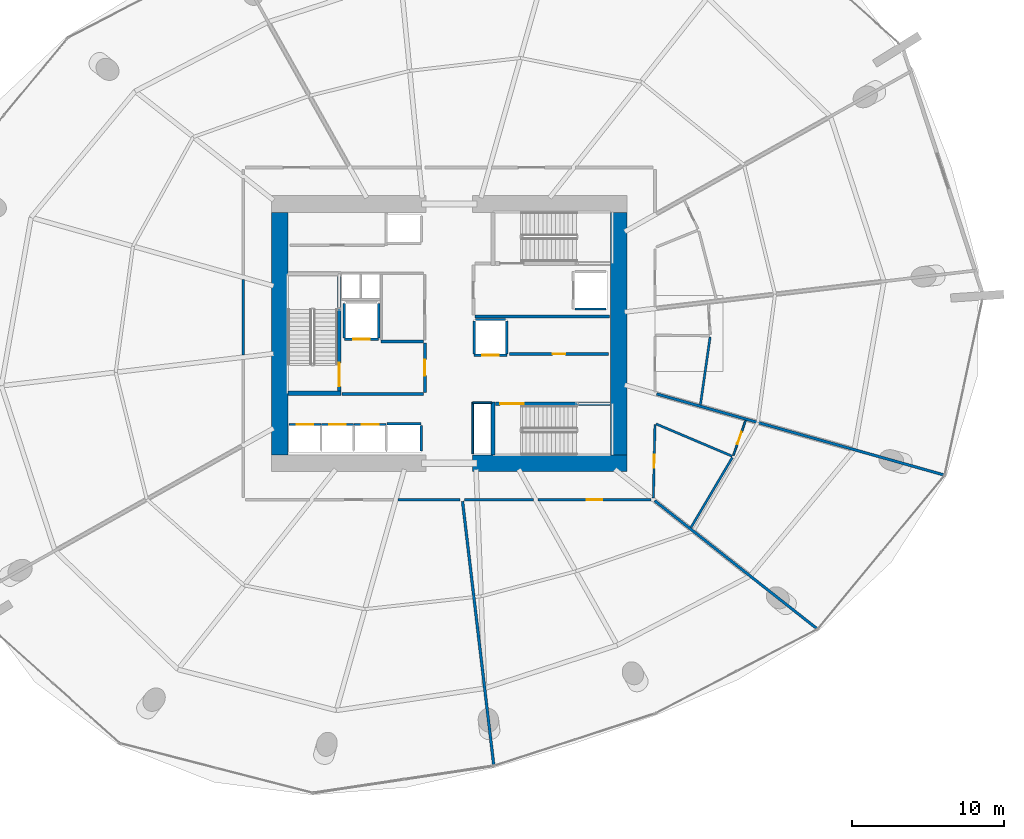
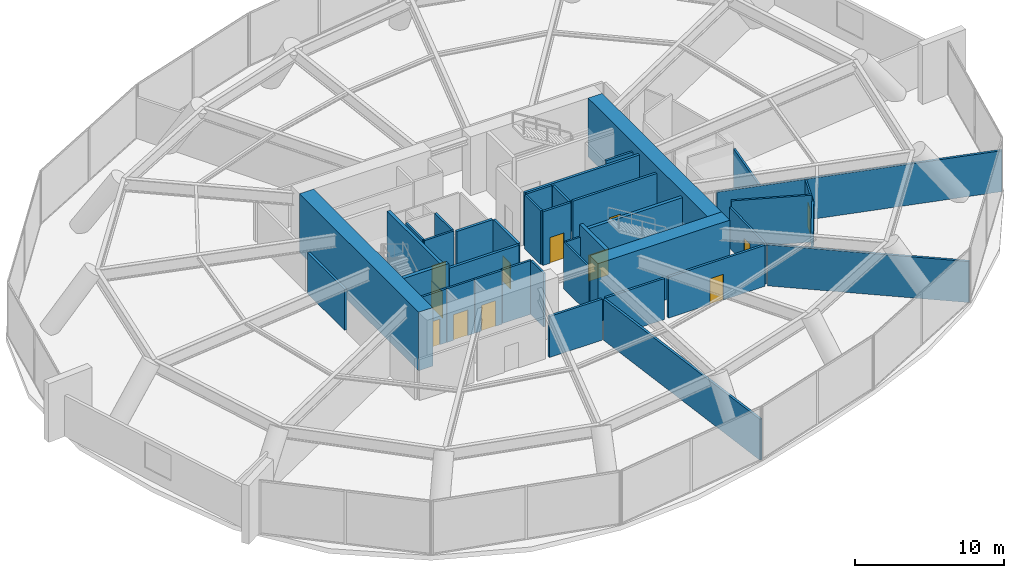
# One storey, part 17 of 21: 39 walls, 12 doors, 12 openings.
"""IFC4 building model written with IfcOpenShell, lengths in metres."""

from ifc_helpers import new_model, si_unit, direction, frame, frame_2d, origin, place, context, subcontext, project, spatial, rectangle, extrude, material, layer, layer_set, type_object, element, fill, save


model = new_model("IFC4")

# Units and contexts
model_context = context("Model", 3, precision=1e-05, world=origin(), true_north=direction((0.0, 1.0)))
body_context = subcontext(model_context, "Body", "Model", "MODEL_VIEW")
ifc_project = project(units=[si_unit("LENGTHUNIT", "METRE"), si_unit("AREAUNIT", "SQUARE_METRE"), si_unit("VOLUMEUNIT", "CUBIC_METRE"), si_unit("PLANEANGLEUNIT", "RADIAN"), si_unit("MASSUNIT", "GRAM", prefix="KILO")], contexts=[model_context])

# Site, building, storey
site_placement = place(None, origin())
site = spatial("IfcSite", under=ifc_project, at=site_placement, CompositionType="ELEMENT")
building_placement = place(site_placement, origin())
building = spatial("IfcBuilding", under=site, at=building_placement, Name="Kazma Halo Residences", CompositionType="ELEMENT")
storey_placement = place(building_placement, frame((0.0, 0.0, 21.60009765625)))
storey = spatial("IfcBuildingStorey", under=building, at=storey_placement, Name="L04", CompositionType="ELEMENT", Elevation=21.60009765625)

# Walls
ifc_material_1 = material(Name="Concrete C80/95", Category="concrete")
ifc_layer_1 = layer(ifc_material_1, 1.10009765625)
ifc_layer_set_1 = layer_set([ifc_layer_1], Name="Concrete C80/95")
wall_type_1 = type_object("IfcWallType", Name="WL-CORE-1100", PredefinedType="SHEAR", material=ifc_layer_set_1)
wall_1_placement = place(storey_placement, frame((49.949951171875, 33.449951171875, 0.0), z_axis=(0.0, 0.0, 1.0), x_axis=(1.0, 0.0, 0.0)))
element("IfcWall", 1, at=wall_1_placement, inside=storey, type_object=wall_type_1, Name="L04 central core shear wall SE", PredefinedType="SHEAR", context=body_context, shape_type="SweptSolid", body=[
    extrude(rectangle(XDim=10.199951171875, YDim=1.10009765625, at=frame_2d((5.10009765625, 0.0))), origin(), (0.0, 0.0, 1.0), 4.7998046875),
])
for number, where, z_axis, x_axis, name in (
    (2, (37.25, 34.0, 0.0), (0.0, 0.0, 1.0), (0.0, 1.0, 0.0), "L04 central core shear wall W"),
    (3, (59.60009765625, 34.0, 0.0), (0.0, 0.0, 1.0), (0.0, 1.0, 0.0), "L04 central core shear wall E"),
):
    element("IfcWall", number, at=place(storey_placement, frame(where, z_axis=z_axis, x_axis=x_axis)), inside=storey, type_object=wall_type_1, Name=name, PredefinedType="SHEAR", context=body_context, shape_type="SweptSolid", body=[
        extrude(rectangle(XDim=16.0, YDim=1.10009765625, at=frame_2d((8.0, 0.0))), origin(), (0.0, 0.0, 1.0), 4.7998046875),
    ])
ifc_material_2 = material(Name="Concrete C60/75", Category="concrete")
ifc_layer_2 = layer(ifc_material_2, 0.280029296875)
ifc_layer_set_2 = layer_set([ifc_layer_2], Name="Concrete C60/75")
wall_type_2 = type_object("IfcWallType", Name="WL-CORE-ST-280", PredefinedType="SHEAR", material=ifc_layer_set_2)
for number, where, z_axis, x_axis, name in (
    (4, (37.800048828125, 38.06005859375, 0.0), (0.0, 0.0, 1.0), (1.0, 0.0, 0.0), "L04 stairwell bearing wall ST01-S"),
    (5, (51.31005859375, 34.0, 0.0), (0.0, 0.0, 1.0), (0.0, 1.0, 0.0), "L04 stairwell bearing wall ST03-W"),
):
    element("IfcWall", number, at=place(storey_placement, frame(where, z_axis=z_axis, x_axis=x_axis)), inside=storey, type_object=wall_type_2, Name=name, PredefinedType="SHEAR", context=body_context, shape_type="SweptSolid", body=[
        extrude(rectangle(XDim=3.5, YDim=0.280029296875, at=frame_2d((1.75, 0.0))), origin(), (0.0, 0.0, 1.0), 4.7998046875),
    ])
ifc_material_3 = material(Name="Acoustic Twin-Stud Gypsum")
ifc_layer_3 = layer(ifc_material_3, 0.179931640625)
ifc_layer_set_3 = layer_set([ifc_layer_3], Name="Acoustic Twin-Stud Gypsum")
wall_type_3 = type_object("IfcWallType", Name="WL-DEM-180", PredefinedType="PARTITIONING", material=ifc_layer_set_3)
wall_2_placement = place(storey_placement, frame((34.85009765625, 45.568603515625, 0.0), z_axis=(0.0, 0.0, 1.0), x_axis=(0.0, -1.0, 0.0)))
element("IfcWall", 6, at=wall_2_placement, inside=storey, type_object=wall_type_3, Name="L04 Executive Co-Working Office corridor wall", PredefinedType="PARTITIONING", context=body_context, shape_type="SweptSolid", body=[
    extrude(rectangle(XDim=4.985107421875, YDim=0.179931640625, at=frame_2d((2.49267578125, 0.0))), origin(), (0.0, 0.0, 1.0), 3.35693359375),
])
wall_3_placement = place(storey_placement, frame((45.0517578125, 31.050048828125, 0.0), z_axis=(0.0, 0.0, 1.0), x_axis=(1.0, 0.0, 0.0)))
element("IfcWall", 7, at=wall_3_placement, inside=storey, type_object=wall_type_3, Name="L04 Executive Meeting Office corridor wall", PredefinedType="PARTITIONING", context=body_context, shape_type="SweptSolid", body=[
    extrude(rectangle(XDim=4.104248046875, YDim=0.179931640625, at=frame_2d((2.05224609375, 0.0))), origin(), (0.0, 0.0, 1.0), 3.35693359375),
])
wall_4_placement = place(storey_placement, frame((49.308837890625, 30.94091796875, 0.0), z_axis=(0.0, 0.0, 1.0), x_axis=(0.117547531601, -0.993067257448, 0.0)))
element("IfcWall", 8, at=wall_4_placement, inside=storey, type_object=wall_type_3, Name="L04 radial partition wall 11", PredefinedType="PARTITIONING", context=body_context, shape_type="SweptSolid", body=[
    extrude(rectangle(XDim=17.548095703125, YDim=0.179931640625, at=frame_2d((8.77392578125, 0.0))), origin(), (0.0, 0.0, 1.0), 3.35693359375),
])
wall_5_placement = place(storey_placement, frame((49.43603515625, 31.050048828125, 0.0), z_axis=(0.0, 0.0, 1.0), x_axis=(1.0, 0.0, 0.0)))
element("IfcWall", 9, at=wall_5_placement, inside=storey, type_object=wall_type_3, Name="L04 Estate Archives Store Room corridor wall", PredefinedType="PARTITIONING", context=body_context, shape_type="SweptSolid", body=[
    extrude(rectangle(XDim=4.55615234375, YDim=0.179931640625, at=frame_2d((2.278076171875, 0.0))), origin(), (0.0, 0.0, 1.0), 3.35693359375),
])

# Wall, opening, door
wall_6_placement = place(storey_placement, frame((54.272216796875, 31.050048828125, 0.0), z_axis=(0.0, 0.0, 1.0), x_axis=(1.0, 0.0, 0.0)))
wall_6 = element("IfcWall", 10, at=wall_6_placement, inside=storey, type_object=wall_type_3, Name="L04 Estate Archives Store Room corridor wall", PredefinedType="PARTITIONING", context=body_context, shape_type="SweptSolid", body=[
    extrude(rectangle(XDim=7.477783203125, YDim=0.179931640625, at=frame_2d((3.73876953125, 0.0))), origin(), (0.0, 0.0, 1.0), 3.35693359375),
])
opening_1_placement = place(wall_6_placement, frame((3.2138671875, 0.0, 0.0)))
opening_1 = element("IfcOpeningElement", 11, at=opening_1_placement, cuts=wall_6, Name="Opening DF-1050", PredefinedType="OPENING", context=body_context, shape_type="SweptSolid", body=[
    extrude(rectangle(XDim=1.050048828125, YDim=2.10009765625, at=frame_2d((0.52490234375, 1.050048828125))), frame((0.0, 0.099853515625, 0.0), z_axis=(0.0, -1.0, 0.0), x_axis=(1.0, 0.0, 0.0)), (0.0, 0.0, 1.0), 0.199951171875),
])
ifc_material_4 = material(Name="Fire-Rated Steel Leaf", Category="steel")
door_type_1 = type_object("IfcDoorType", Name="DR-FD90-1050", OperationType="NOTDEFINED", PredefinedType="DOOR", material=ifc_material_4)
door_1_placement = place(opening_1_placement, origin())
door_1 = element("IfcDoor", 12, at=door_1_placement, inside=storey, type_object=door_type_1, Name="L04 Estate Archives Store Room entrance door", OperationType="SINGLE_SWING_LEFT", OverallHeight=2.10009765625, OverallWidth=1.050048828125, PredefinedType="DOOR", context=body_context, shape_type="SweptSolid", body=[
    extrude(rectangle(XDim=1.050048828125, YDim=2.10009765625, at=frame_2d((0.52490234375, 1.050048828125))), frame((0.0, 0.02490234375, 0.0), z_axis=(0.0, -1.0, 0.0), x_axis=(1.0, 0.0, 0.0)), (0.0, 0.0, 1.0), 0.050048828125),
])
fill(opening_1, door_1)

# Walls
wall_7_placement = place(storey_placement, frame((61.976318359375, 30.98193359375, 0.0), z_axis=(0.0, 0.0, 1.0), x_axis=(0.785315783489, -0.619095404766, 0.0)))
element("IfcWall", 13, at=wall_7_placement, inside=storey, type_object=wall_type_3, Name="L04 radial partition wall 13", PredefinedType="PARTITIONING", context=body_context, shape_type="SweptSolid", body=[
    extrude(rectangle(XDim=13.6611328125, YDim=0.179931640625, at=frame_2d((6.83056640625, 0.0))), origin(), (0.0, 0.0, 1.0), 3.35693359375),
])
wall_8_placement = place(storey_placement, frame((62.10595703125, 38.021728515625, 0.0), z_axis=(0.0, 0.0, 1.0), x_axis=(0.962455233657, -0.271440459782, 0.0)))
element("IfcWall", 14, at=wall_8_placement, inside=storey, type_object=wall_type_3, Name="L04 radial partition wall 14", PredefinedType="PARTITIONING", context=body_context, shape_type="SweptSolid", body=[
    extrude(rectangle(XDim=19.71630859375, YDim=0.179931640625, at=frame_2d((9.858154296875, 0.0))), origin(), (0.0, 0.0, 1.0), 3.35693359375),
])

# Wall, opening, door
ifc_material_5 = material(Name="Fire-Rated Blockwork Masonry", Category="masonry")
ifc_layer_4 = layer(ifc_material_5, 0.199951171875)
ifc_layer_set_4 = layer_set([ifc_layer_4], Name="Fire-Rated Blockwork Masonry")
wall_type_4 = type_object("IfcWallType", Name="WL-FLB-200", PredefinedType="PARTITIONING", material=ifc_layer_set_4)
wall_9_placement = place(storey_placement, frame((37.864990234375, 36.0048828125, 0.0), z_axis=(0.0, 0.0, 1.0), x_axis=(1.0, 0.0, 0.0)))
wall_9 = element("IfcWall", 15, at=wall_9_placement, inside=storey, type_object=wall_type_4, Name="L04 lift shaft PL-01 front wall", PredefinedType="PARTITIONING", context=body_context, shape_type="SweptSolid", body=[
    extrude(rectangle(XDim=2.110107421875, YDim=0.159912109375, at=frame_2d((1.05517578125, 0.0))), origin(), (0.0, 0.0, 1.0), 4.39990234375),
])
opening_2_placement = place(wall_9_placement, frame((0.5048828125, 0.0, 0.0)))
opening_2 = element("IfcOpeningElement", 16, at=opening_2_placement, cuts=wall_9, Name="Opening LD-PL-01", PredefinedType="OPENING", context=body_context, shape_type="SweptSolid", body=[
    extrude(rectangle(XDim=1.10009765625, YDim=2.10009765625, at=frame_2d((0.550048828125, 1.050048828125))), frame((0.0, 0.08984375, 0.0), z_axis=(0.0, -1.0, 0.0), x_axis=(1.0, 0.0, 0.0)), (0.0, 0.0, 1.0), 0.179931640625),
])
ifc_material_6 = material(Name="Stainless Steel Fire-Rated", Category="steel")
door_type_2 = type_object("IfcDoorType", Name="DR-LIFT-SLD-1100", OperationType="DOUBLE_DOOR_SLIDING", PredefinedType="DOOR", material=ifc_material_6)
door_2_placement = place(opening_2_placement, origin())
door_2 = element("IfcDoor", 17, at=door_2_placement, inside=storey, type_object=door_type_2, Name="L04 lift PL-01 sliding landing door", OperationType="DOUBLE_DOOR_SLIDING", OverallHeight=2.10009765625, OverallWidth=1.10009765625, PredefinedType="DOOR", context=body_context, shape_type="SweptSolid", body=[
    extrude(rectangle(XDim=1.10009765625, YDim=2.10009765625, at=frame_2d((0.550048828125, 1.050048828125))), frame((0.0, 0.02490234375, 0.0), z_axis=(0.0, -1.0, 0.0), x_axis=(1.0, 0.0, 0.0)), (0.0, 0.0, 1.0), 0.050048828125),
])
fill(opening_2, door_2)

wall_10_placement = place(storey_placement, frame((40.014892578125, 36.0048828125, 0.0), z_axis=(0.0, 0.0, 1.0), x_axis=(1.0, 0.0, 0.0)))
wall_10 = element("IfcWall", 18, at=wall_10_placement, inside=storey, type_object=wall_type_4, Name="L04 lift shaft PL-02 front wall", PredefinedType="PARTITIONING", context=body_context, shape_type="SweptSolid", body=[
    extrude(rectangle(XDim=2.110107421875, YDim=0.159912109375, at=frame_2d((1.05517578125, 0.0))), origin(), (0.0, 0.0, 1.0), 4.39990234375),
])
opening_3_placement = place(wall_10_placement, frame((0.5048828125, 0.0, 0.0)))
opening_3 = element("IfcOpeningElement", 19, at=opening_3_placement, cuts=wall_10, Name="Opening LD-PL-02", PredefinedType="OPENING", context=body_context, shape_type="SweptSolid", body=[
    extrude(rectangle(XDim=1.10009765625, YDim=2.10009765625, at=frame_2d((0.550048828125, 1.050048828125))), frame((0.0, 0.08984375, 0.0), z_axis=(0.0, -1.0, 0.0), x_axis=(1.0, 0.0, 0.0)), (0.0, 0.0, 1.0), 0.179931640625),
])
door_3_placement = place(opening_3_placement, origin())
door_3 = element("IfcDoor", 20, at=door_3_placement, inside=storey, type_object=door_type_2, Name="L04 lift PL-02 sliding landing door", OperationType="DOUBLE_DOOR_SLIDING", OverallHeight=2.10009765625, OverallWidth=1.10009765625, PredefinedType="DOOR", context=body_context, shape_type="SweptSolid", body=[
    extrude(rectangle(XDim=1.10009765625, YDim=2.10009765625, at=frame_2d((0.550048828125, 1.050048828125))), frame((0.0, 0.02490234375, 0.0), z_axis=(0.0, -1.0, 0.0), x_axis=(1.0, 0.0, 0.0)), (0.0, 0.0, 1.0), 0.050048828125),
])
fill(opening_3, door_3)

wall_11_placement = place(storey_placement, frame((42.1650390625, 36.0048828125, 0.0), z_axis=(0.0, 0.0, 1.0), x_axis=(1.0, 0.0, 0.0)))
wall_11 = element("IfcWall", 21, at=wall_11_placement, inside=storey, type_object=wall_type_4, Name="L04 lift shaft PL-03 front wall", PredefinedType="PARTITIONING", context=body_context, shape_type="SweptSolid", body=[
    extrude(rectangle(XDim=2.10986328125, YDim=0.159912109375, at=frame_2d((1.054931640625, 0.0))), origin(), (0.0, 0.0, 1.0), 4.39990234375),
])
opening_4_placement = place(wall_11_placement, frame((0.5048828125, 0.0, 0.0)))
opening_4 = element("IfcOpeningElement", 22, at=opening_4_placement, cuts=wall_11, Name="Opening LD-PL-03", PredefinedType="OPENING", context=body_context, shape_type="SweptSolid", body=[
    extrude(rectangle(XDim=1.10009765625, YDim=2.10009765625, at=frame_2d((0.550048828125, 1.050048828125))), frame((0.0, 0.08984375, 0.0), z_axis=(0.0, -1.0, 0.0), x_axis=(1.0, 0.0, 0.0)), (0.0, 0.0, 1.0), 0.179931640625),
])
door_4_placement = place(opening_4_placement, origin())
door_4 = element("IfcDoor", 23, at=door_4_placement, inside=storey, type_object=door_type_2, Name="L04 lift PL-03 sliding landing door", OperationType="DOUBLE_DOOR_SLIDING", OverallHeight=2.10009765625, OverallWidth=1.10009765625, PredefinedType="DOOR", context=body_context, shape_type="SweptSolid", body=[
    extrude(rectangle(XDim=1.10009765625, YDim=2.10009765625, at=frame_2d((0.550048828125, 1.050048828125))), frame((0.0, 0.02490234375, 0.0), z_axis=(0.0, -1.0, 0.0), x_axis=(1.0, 0.0, 0.0)), (0.0, 0.0, 1.0), 0.050048828125),
])
fill(opening_4, door_4)

# Walls
wall_12_placement = place(storey_placement, frame((44.320068359375, 36.054931640625, 0.0), z_axis=(0.0, 0.0, 1.0), x_axis=(1.0, 0.0, 0.0)))
element("IfcWall", 24, at=wall_12_placement, inside=storey, type_object=wall_type_4, Name="L04 lift shaft PX-02 front wall", PredefinedType="PARTITIONING", context=body_context, shape_type="SweptSolid", body=[
    extrude(rectangle(XDim=2.260009765625, YDim=0.159912109375, at=frame_2d((1.1298828125, 0.0))), origin(), (0.0, 0.0, 1.0), 4.39990234375),
])
wall_13_placement = place(storey_placement, frame((46.580078125, 34.2451171875, 0.0), z_axis=(0.0, 0.0, 1.0), x_axis=(0.0, 1.0, 0.0)))
element("IfcWall", 25, at=wall_13_placement, inside=storey, type_object=wall_type_4, Name="L04 lift shaft PX-02 side wall E", PredefinedType="PARTITIONING", context=body_context, shape_type="SweptSolid", body=[
    extrude(rectangle(XDim=1.7099609375, YDim=0.159912109375, at=frame_2d((0.85498046875, 0.0))), origin(), (0.0, 0.0, 1.0), 4.39990234375),
])

# Wall, opening, door
wall_14_placement = place(storey_placement, frame((43.780029296875, 41.6201171875, 0.0), z_axis=(0.0, 0.0, 1.0), x_axis=(-1.0, 0.0, 0.0)))
wall_14 = element("IfcWall", 26, at=wall_14_placement, inside=storey, type_object=wall_type_4, Name="L04 lift shaft FL-01 front wall", PredefinedType="PARTITIONING", context=body_context, shape_type="SweptSolid", body=[
    extrude(rectangle(XDim=2.260009765625, YDim=0.159912109375, at=frame_2d((1.1298828125, 0.0))), origin(), (0.0, 0.0, 1.0), 4.39990234375),
])
opening_5_placement = place(wall_14_placement, frame((0.580078125, 0.0, 0.0)))
opening_5 = element("IfcOpeningElement", 27, at=opening_5_placement, cuts=wall_14, Name="Opening LD-FL-01", PredefinedType="OPENING", context=body_context, shape_type="SweptSolid", body=[
    extrude(rectangle(XDim=1.10009765625, YDim=2.10009765625, at=frame_2d((0.550048828125, 1.050048828125))), frame((0.0, 0.08984375, 0.0), z_axis=(0.0, -1.0, 0.0), x_axis=(1.0, 0.0, 0.0)), (0.0, 0.0, 1.0), 0.179931640625),
])
door_5_placement = place(opening_5_placement, origin())
door_5 = element("IfcDoor", 28, at=door_5_placement, inside=storey, type_object=door_type_2, Name="L04 lift FL-01 sliding landing door", OperationType="DOUBLE_DOOR_SLIDING", OverallHeight=2.10009765625, OverallWidth=1.10009765625, PredefinedType="DOOR", context=body_context, shape_type="SweptSolid", body=[
    extrude(rectangle(XDim=1.10009765625, YDim=2.10009765625, at=frame_2d((0.550048828125, 1.050048828125))), frame((0.0, 0.02490234375, 0.0), z_axis=(0.0, -1.0, 0.0), x_axis=(1.0, 0.0, 0.0)), (0.0, 0.0, 1.0), 0.050048828125),
])
fill(opening_5, door_5)

# Walls
for number, where, z_axis, x_axis, name in (
    (29, (43.780029296875, 41.719970703125, 0.0), (0.0, 0.0, 1.0), (0.0, 1.0, 0.0), "L04 lift shaft FL-01 side wall E"),
    (30, (41.52001953125, 41.719970703125, 0.0), (0.0, 0.0, 1.0), (0.0, 1.0, 0.0), "L04 lift shaft FL-01 side wall W"),
):
    element("IfcWall", number, at=place(storey_placement, frame(where, z_axis=z_axis, x_axis=x_axis)), inside=storey, type_object=wall_type_4, Name=name, PredefinedType="PARTITIONING", context=body_context, shape_type="SweptSolid", body=[
        extrude(rectangle(XDim=2.260009765625, YDim=0.159912109375, at=frame_2d((1.1298828125, 0.0))), origin(), (0.0, 0.0, 1.0), 4.39990234375),
    ])
wall_15_placement = place(storey_placement, frame((56.719970703125, 43.6201171875, 0.0), z_axis=(0.0, 0.0, 1.0), x_axis=(1.0, 0.0, 0.0)))
element("IfcWall", 31, at=wall_15_placement, inside=storey, type_object=wall_type_4, Name="L04 lift shaft FL-02 side wall S", PredefinedType="PARTITIONING", context=body_context, shape_type="SweptSolid", body=[
    extrude(rectangle(XDim=2.06005859375, YDim=0.159912109375, at=frame_2d((1.030029296875, 0.0))), origin(), (0.0, 0.0, 1.0), 4.39990234375),
])

# Wall, opening, door
wall_16_placement = place(storey_placement, frame((52.22998046875, 40.570068359375, 0.0), z_axis=(0.0, 0.0, 1.0), x_axis=(-1.0, 0.0, 0.0)))
wall_16 = element("IfcWall", 32, at=wall_16_placement, inside=storey, type_object=wall_type_4, Name="L04 lift shaft SV-01 front wall", PredefinedType="PARTITIONING", context=body_context, shape_type="SweptSolid", body=[
    extrude(rectangle(XDim=2.159912109375, YDim=0.159912109375, at=frame_2d((1.080078125, 0.0))), origin(), (0.0, 0.0, 1.0), 4.39990234375),
])
opening_6_placement = place(wall_16_placement, frame((0.530029296875, 0.0, 0.0)))
opening_6 = element("IfcOpeningElement", 33, at=opening_6_placement, cuts=wall_16, Name="Opening LD-SV-01", PredefinedType="OPENING", context=body_context, shape_type="SweptSolid", body=[
    extrude(rectangle(XDim=1.10009765625, YDim=2.10009765625, at=frame_2d((0.550048828125, 1.050048828125))), frame((0.0, 0.08984375, 0.0), z_axis=(0.0, -1.0, 0.0), x_axis=(1.0, 0.0, 0.0)), (0.0, 0.0, 1.0), 0.179931640625),
])
door_6_placement = place(opening_6_placement, origin())
door_6 = element("IfcDoor", 34, at=door_6_placement, inside=storey, type_object=door_type_2, Name="L04 lift SV-01 sliding landing door", OperationType="DOUBLE_DOOR_SLIDING", OverallHeight=2.10009765625, OverallWidth=1.10009765625, PredefinedType="DOOR", context=body_context, shape_type="SweptSolid", body=[
    extrude(rectangle(XDim=1.10009765625, YDim=2.10009765625, at=frame_2d((0.550048828125, 1.050048828125))), frame((0.0, 0.02490234375, 0.0), z_axis=(0.0, -1.0, 0.0), x_axis=(1.0, 0.0, 0.0)), (0.0, 0.0, 1.0), 0.050048828125),
])
fill(opening_6, door_6)

# Walls
for number, where, z_axis, x_axis, name in (
    (35, (52.22998046875, 40.669921875, 0.0), (0.0, 0.0, 1.0), (0.0, 1.0, 0.0), "L04 lift shaft SV-01 side wall E"),
    (36, (50.070068359375, 40.669921875, 0.0), (0.0, 0.0, 1.0), (0.0, 1.0, 0.0), "L04 lift shaft SV-01 side wall W"),
):
    element("IfcWall", number, at=place(storey_placement, frame(where, z_axis=z_axis, x_axis=x_axis)), inside=storey, type_object=wall_type_4, Name=name, PredefinedType="PARTITIONING", context=body_context, shape_type="SweptSolid", body=[
        extrude(rectangle(XDim=2.16015625, YDim=0.159912109375, at=frame_2d((1.080078125, 0.0))), origin(), (0.0, 0.0, 1.0), 4.39990234375),
    ])
wall_17_placement = place(storey_placement, frame((50.169921875, 42.929931640625, 0.0), z_axis=(0.0, 0.0, 1.0), x_axis=(1.0, 0.0, 0.0)))
element("IfcWall", 37, at=wall_17_placement, inside=storey, type_object=wall_type_4, Name="L04 lift shaft SV-01 side wall N", PredefinedType="PARTITIONING", context=body_context, shape_type="SweptSolid", body=[
    extrude(rectangle(XDim=1.9599609375, YDim=0.159912109375, at=frame_2d((0.97998046875, 0.0))), origin(), (0.0, 0.0, 1.0), 4.39990234375),
])

# Wall, opening, door
wall_18_placement = place(storey_placement, frame((52.419921875, 40.64990234375, 0.0), z_axis=(0.0, 0.0, 1.0), x_axis=(1.0, 0.0, 0.0)))
wall_18 = element("IfcWall", 38, at=wall_18_placement, inside=storey, type_object=wall_type_4, Name="L04 core east reserve wall", PredefinedType="PARTITIONING", context=body_context, shape_type="SweptSolid", body=[
    extrude(rectangle(XDim=6.5, YDim=0.179931640625, at=frame_2d((3.25, 0.0))), origin(), (0.0, 0.0, 1.0), 4.39990234375),
])
opening_7_placement = place(wall_18_placement, frame((2.824951171875, 0.0, 0.0)))
opening_7 = element("IfcOpeningElement", 39, at=opening_7_placement, cuts=wall_18, Name="Opening DS-850", PredefinedType="OPENING", context=body_context, shape_type="SweptSolid", body=[
    extrude(rectangle(XDim=0.85009765625, YDim=2.06005859375, at=frame_2d((0.425048828125, 1.030029296875))), frame((0.0, 0.099853515625, 0.0), z_axis=(0.0, -1.0, 0.0), x_axis=(1.0, 0.0, 0.0)), (0.0, 0.0, 1.0), 0.199951171875),
])
ifc_material_7 = material(Name="Painted Steel Access Leaf", Category="steel")
door_type_3 = type_object("IfcDoorType", Name="DR-SVC-850", OperationType="NOTDEFINED", PredefinedType="DOOR", material=ifc_material_7)
door_7_placement = place(opening_7_placement, origin())
door_7 = element("IfcDoor", 40, at=door_7_placement, inside=storey, type_object=door_type_3, Name="L04 core east reserve door", OperationType="SINGLE_SWING_LEFT", OverallHeight=2.06005859375, OverallWidth=0.85009765625, PredefinedType="DOOR", context=body_context, shape_type="SweptSolid", body=[
    extrude(rectangle(XDim=0.85009765625, YDim=2.06005859375, at=frame_2d((0.425048828125, 1.030029296875))), frame((0.0, 0.02490234375, 0.0), z_axis=(0.0, -1.0, 0.0), x_axis=(1.0, 0.0, 0.0)), (0.0, 0.0, 1.0), 0.050048828125),
])
fill(opening_7, door_7)

# Walls
wall_19_placement = place(storey_placement, frame((41.35009765625, 38.02001953125, 0.0), z_axis=(0.0, 0.0, 1.0), x_axis=(1.0, 0.0, 0.0)))
element("IfcWall", 41, at=wall_19_placement, inside=storey, type_object=wall_type_4, Name="L04 west firefighting lobby south smoke wall", PredefinedType="PARTITIONING", context=body_context, shape_type="SweptSolid", body=[
    extrude(rectangle(XDim=5.369873046875, YDim=0.199951171875, at=frame_2d((2.68505859375, 0.0))), origin(), (0.0, 0.0, 1.0), 4.39990234375),
])
wall_20_placement = place(storey_placement, frame((43.919921875, 41.47998046875, 0.0), z_axis=(0.0, 0.0, 1.0), x_axis=(1.0, 0.0, 0.0)))
element("IfcWall", 42, at=wall_20_placement, inside=storey, type_object=wall_type_4, Name="L04 west firefighting lobby north smoke wall", PredefinedType="PARTITIONING", context=body_context, shape_type="SweptSolid", body=[
    extrude(rectangle(XDim=2.800048828125, YDim=0.199951171875, at=frame_2d((1.39990234375, 0.0))), origin(), (0.0, 0.0, 1.0), 4.39990234375),
])

# Wall, opening, door
wall_21_placement = place(storey_placement, frame((46.820068359375, 38.1201171875, 0.0), z_axis=(0.0, 0.0, 1.0), x_axis=(0.0, 1.0, 0.0)))
wall_21 = element("IfcWall", 43, at=wall_21_placement, inside=storey, type_object=wall_type_4, Name="L04 west firefighting lobby smoke wall", PredefinedType="PARTITIONING", context=body_context, shape_type="SweptSolid", body=[
    extrude(rectangle(XDim=3.259765625, YDim=0.199951171875, at=frame_2d((1.6298828125, 0.0))), origin(), (0.0, 0.0, 1.0), 4.39990234375),
])
opening_8_placement = place(wall_21_placement, frame((1.10498046875, 0.0, 0.0)))
opening_8 = element("IfcOpeningElement", 44, at=opening_8_placement, cuts=wall_21, Name="Opening D-FLW", PredefinedType="OPENING", context=body_context, shape_type="SweptSolid", body=[
    extrude(rectangle(XDim=1.050048828125, YDim=2.10009765625, at=frame_2d((0.52490234375, 1.050048828125))), frame((0.0, 0.10986328125, 0.0), z_axis=(0.0, -1.0, 0.0), x_axis=(1.0, 0.0, 0.0)), (0.0, 0.0, 1.0), 0.219970703125),
])
door_8_placement = place(opening_8_placement, origin())
door_8 = element("IfcDoor", 45, at=door_8_placement, inside=storey, type_object=door_type_1, Name="L04 west firefighting lobby smoke door", OperationType="SINGLE_SWING_LEFT", OverallHeight=2.10009765625, OverallWidth=1.050048828125, PredefinedType="DOOR", context=body_context, shape_type="SweptSolid", body=[
    extrude(rectangle(XDim=1.050048828125, YDim=2.10009765625, at=frame_2d((0.52490234375, 1.050048828125))), frame((0.0, 0.02490234375, 0.0), z_axis=(0.0, -1.0, 0.0), x_axis=(1.0, 0.0, 0.0)), (0.0, 0.0, 1.0), 0.050048828125),
])
fill(opening_8, door_8)

# Walls
wall_22_placement = place(storey_placement, frame((50.1201171875, 43.1201171875, 0.0), z_axis=(0.0, 0.0, 1.0), x_axis=(1.0, 0.0, 0.0)))
element("IfcWall", 46, at=wall_22_placement, inside=storey, type_object=wall_type_4, Name="L04 east firefighting lobby south smoke wall", PredefinedType="PARTITIONING", context=body_context, shape_type="SweptSolid", body=[
    extrude(rectangle(XDim=8.8798828125, YDim=0.199951171875, at=frame_2d((4.43994140625, 0.0))), origin(), (0.0, 0.0, 1.0), 4.39990234375),
])
ifc_material_8 = material(Name="Gypsum Plasterboard Partition")
ifc_layer_5 = layer(ifc_material_8, 0.125)
ifc_layer_set_5 = layer_set([ifc_layer_5], Name="Gypsum Plasterboard Partition")
wall_type_5 = type_object("IfcWallType", Name="WL-PART-125", PredefinedType="PARTITIONING", material=ifc_layer_set_5)
wall_23_placement = place(storey_placement, frame((49.97998046875, 34.06005859375, 0.0), z_axis=(0.0, 0.0, 1.0), x_axis=(0.0, 1.0, 0.0)))
element("IfcWall", 47, at=wall_23_placement, inside=storey, type_object=wall_type_5, Name="L04 standpipe riser wall", PredefinedType="PARTITIONING", context=body_context, shape_type="SweptSolid", body=[
    extrude(rectangle(XDim=3.39990234375, YDim=0.125, at=frame_2d((1.699951171875, 0.0))), origin(), (0.0, 0.0, 1.0), 3.83984375),
])
wall_24_placement = place(storey_placement, frame((49.97998046875, 37.43994140625, 0.0), z_axis=(0.0, 0.0, 1.0), x_axis=(1.0, 0.0, 0.0)))
element("IfcWall", 48, at=wall_24_placement, inside=storey, type_object=wall_type_5, Name="L04 standpipe riser north wall", PredefinedType="PARTITIONING", context=body_context, shape_type="SweptSolid", body=[
    extrude(rectangle(XDim=1.260009765625, YDim=0.125, at=frame_2d((0.6298828125, 0.0))), origin(), (0.0, 0.0, 1.0), 3.83984375),
])

# Wall, opening, door
wall_25_placement = place(storey_placement, frame((67.168212890625, 33.97021484375, 0.0), z_axis=(0.0, 0.0, 1.0), x_axis=(0.331316814656, 0.943519564358, 0.0)))
wall_25 = element("IfcWall", 49, at=wall_25_placement, inside=storey, type_object=wall_type_5, Name="L04 supply store wall", PredefinedType="PARTITIONING", context=body_context, shape_type="SweptSolid", body=[
    extrude(rectangle(XDim=2.43017578125, YDim=0.125, at=frame_2d((1.215087890625, 0.0))), origin(), (0.0, 0.0, 1.0), 3.35693359375),
])
opening_9_placement = place(wall_25_placement, frame((0.790283203125, 0.0, 0.0)))
opening_9 = element("IfcOpeningElement", 50, at=opening_9_placement, cuts=wall_25, Name="Opening DS-850", PredefinedType="OPENING", context=body_context, shape_type="SweptSolid", body=[
    extrude(rectangle(XDim=0.85009765625, YDim=2.06005859375, at=frame_2d((0.425048828125, 1.030029296875))), frame((0.0, 0.072509765625, 0.0), z_axis=(0.0, -1.0, 0.0), x_axis=(1.0, 0.0, 0.0)), (0.0, 0.0, 1.0), 0.14501953125),
])
door_9_placement = place(opening_9_placement, origin())
door_9 = element("IfcDoor", 51, at=door_9_placement, inside=storey, type_object=door_type_3, Name="L04 supply store door", OperationType="SINGLE_SWING_LEFT", OverallHeight=2.06005859375, OverallWidth=0.85009765625, PredefinedType="DOOR", context=body_context, shape_type="SweptSolid", body=[
    extrude(rectangle(XDim=0.85009765625, YDim=2.06005859375, at=frame_2d((0.425048828125, 1.030029296875))), frame((0.0, 0.02490234375, 0.0), z_axis=(0.0, -1.0, 0.0), x_axis=(1.0, 0.0, 0.0)), (0.0, 0.0, 1.0), 0.050048828125),
])
fill(opening_9, door_9)

ifc_material_9 = material(Name="Concrete C50/60", Category="concrete")
ifc_layer_6 = layer(ifc_material_9, 0.25)
ifc_layer_set_6 = layer_set([ifc_layer_6], Name="Concrete C50/60")
wall_type_6 = type_object("IfcWallType", Name="WL-SHF-250", PredefinedType="SOLIDWALL", material=ifc_layer_set_6)
wall_26_placement = place(storey_placement, frame((41.179931640625, 38.219970703125, 0.0), z_axis=(0.0, 0.0, 1.0), x_axis=(0.0, 1.0, 0.0)))
wall_26 = element("IfcWall", 52, at=wall_26_placement, inside=storey, type_object=wall_type_6, Name="L04 exit stair ST-01 enclosure wall", PredefinedType="SOLIDWALL", context=body_context, shape_type="SweptSolid", body=[
    extrude(rectangle(XDim=7.56005859375, YDim=0.25, at=frame_2d((3.780029296875, 0.0))), origin(), (0.0, 0.0, 1.0), 4.39990234375),
])
opening_10_placement = place(wall_26_placement, frame((0.300048828125, 0.0, 0.0)))
opening_10 = element("IfcOpeningElement", 53, at=opening_10_placement, cuts=wall_26, Name="Opening D-ST1", PredefinedType="OPENING", context=body_context, shape_type="SweptSolid", body=[
    extrude(rectangle(XDim=1.550048828125, YDim=2.14990234375, at=frame_2d((0.77490234375, 1.074951171875))), frame((0.0, 0.135009765625, 0.0), z_axis=(0.0, -1.0, 0.0), x_axis=(1.0, 0.0, 0.0)), (0.0, 0.0, 1.0), 0.27001953125),
])
ifc_material_10 = material(Name="Fire-Rated Double Steel Leaf", Category="steel")
door_type_4 = type_object("IfcDoorType", Name="DR-FD90-1550", OperationType="NOTDEFINED", PredefinedType="DOOR", material=ifc_material_10)
door_10_placement = place(opening_10_placement, origin())
door_10 = element("IfcDoor", 54, at=door_10_placement, inside=storey, type_object=door_type_4, Name="L04 exit stair ST-01 fire door", OperationType="DOUBLE_DOOR_SINGLE_SWING", OverallHeight=2.14990234375, OverallWidth=1.550048828125, PredefinedType="DOOR", context=body_context, shape_type="SweptSolid", body=[
    extrude(rectangle(XDim=1.550048828125, YDim=2.14990234375, at=frame_2d((0.77490234375, 1.074951171875))), frame((0.0, 0.02490234375, 0.0), z_axis=(0.0, -1.0, 0.0), x_axis=(1.0, 0.0, 0.0)), (0.0, 0.0, 1.0), 0.050048828125),
])
fill(opening_10, door_10)

wall_27_placement = place(storey_placement, frame((51.47998046875, 37.3798828125, 0.0), z_axis=(0.0, 0.0, 1.0), x_axis=(1.0, 0.0, 0.0)))
wall_27 = element("IfcWall", 55, at=wall_27_placement, inside=storey, type_object=wall_type_6, Name="L04 exit stair ST-03 enclosure wall", PredefinedType="SOLIDWALL", context=body_context, shape_type="SweptSolid", body=[
    extrude(rectangle(XDim=7.5400390625, YDim=0.25, at=frame_2d((3.77001953125, 0.0))), origin(), (0.0, 0.0, 1.0), 4.39990234375),
])
opening_11_placement = place(wall_27_placement, frame((0.300048828125, 0.0, 0.0)))
opening_11 = element("IfcOpeningElement", 56, at=opening_11_placement, cuts=wall_27, Name="Opening D-ST3", PredefinedType="OPENING", context=body_context, shape_type="SweptSolid", body=[
    extrude(rectangle(XDim=1.550048828125, YDim=2.14990234375, at=frame_2d((0.77490234375, 1.074951171875))), frame((0.0, 0.135009765625, 0.0), z_axis=(0.0, -1.0, 0.0), x_axis=(1.0, 0.0, 0.0)), (0.0, 0.0, 1.0), 0.27001953125),
])
door_11_placement = place(opening_11_placement, origin())
door_11 = element("IfcDoor", 57, at=door_11_placement, inside=storey, type_object=door_type_4, Name="L04 exit stair ST-03 fire door", OperationType="DOUBLE_DOOR_SINGLE_SWING", OverallHeight=2.14990234375, OverallWidth=1.550048828125, PredefinedType="DOOR", context=body_context, shape_type="SweptSolid", body=[
    extrude(rectangle(XDim=1.550048828125, YDim=2.14990234375, at=frame_2d((0.77490234375, 1.074951171875))), frame((0.0, 0.02490234375, 0.0), z_axis=(0.0, -1.0, 0.0), x_axis=(1.0, 0.0, 0.0)), (0.0, 0.0, 1.0), 0.050048828125),
])
fill(opening_11, door_11)

ifc_material_11 = material(Name="Moisture-Resistant Gypsum")
ifc_layer_7 = layer(ifc_material_11, 0.14990234375)
ifc_layer_set_7 = layer_set([ifc_layer_7], Name="Moisture-Resistant Gypsum")
wall_type_7 = type_object("IfcWallType", Name="WL-WET-150", PredefinedType="PARTITIONING", material=ifc_layer_set_7)
wall_28_placement = place(storey_placement, frame((61.89208984375, 31.14990234375, 0.0), z_axis=(0.0, 0.0, 1.0), x_axis=(0.021928973177, 0.999759531155, 0.0)))
wall_28 = element("IfcWall", 58, at=wall_28_placement, inside=storey, type_object=wall_type_7, Name="L04 Lounge Male WC corridor wall", PredefinedType="PARTITIONING", context=body_context, shape_type="SweptSolid", body=[
    extrude(rectangle(XDim=4.843017578125, YDim=0.14990234375, at=frame_2d((2.42138671875, 0.0))), origin(), (0.0, 0.0, 1.0), 3.35693359375),
])
opening_12_placement = place(wall_28_placement, frame((1.99658203125, 0.0, 0.0)))
opening_12 = element("IfcOpeningElement", 59, at=opening_12_placement, cuts=wall_28, Name="Opening DB-900", PredefinedType="OPENING", context=body_context, shape_type="SweptSolid", body=[
    extrude(rectangle(XDim=0.85009765625, YDim=2.06005859375, at=frame_2d((0.425048828125, 1.030029296875))), frame((0.0, 0.0849609375, 0.0), z_axis=(0.0, -1.0, 0.0), x_axis=(1.0, 0.0, 0.0)), (0.0, 0.0, 1.0), 0.169921875),
])
ifc_material_12 = material(Name="Moisture-Sealed Timber Leaf", Category="wood")
door_type_5 = type_object("IfcDoorType", Name="DR-BTH-900", OperationType="NOTDEFINED", PredefinedType="DOOR", material=ifc_material_12)
door_12_placement = place(opening_12_placement, origin())
door_12 = element("IfcDoor", 60, at=door_12_placement, inside=storey, type_object=door_type_5, Name="L04 Lounge Male WC door", OperationType="SINGLE_SWING_RIGHT", OverallHeight=2.06005859375, OverallWidth=0.85009765625, PredefinedType="DOOR", context=body_context, shape_type="SweptSolid", body=[
    extrude(rectangle(XDim=0.85009765625, YDim=2.06005859375, at=frame_2d((0.425048828125, 1.030029296875))), frame((0.0, 0.02490234375, 0.0), z_axis=(0.0, -1.0, 0.0), x_axis=(1.0, 0.0, 0.0)), (0.0, 0.0, 1.0), 0.050048828125),
])
fill(opening_12, door_12)

# Walls
wall_29_placement = place(storey_placement, frame((62.07373046875, 36.04052734375, 0.0), z_axis=(0.0, 0.0, 1.0), x_axis=(0.920841540816, -0.38993699069, 0.0)))
element("IfcWall", 61, at=wall_29_placement, inside=storey, type_object=wall_type_7, Name="L04 Lounge Male WC side wall", PredefinedType="PARTITIONING", context=body_context, shape_type="SweptSolid", body=[
    extrude(rectangle(XDim=5.443359375, YDim=0.14990234375, at=frame_2d((2.7216796875, 0.0))), origin(), (0.0, 0.0, 1.0), 3.83984375),
])
wall_30_placement = place(storey_placement, frame((64.375244140625, 29.217041015625, 0.0), z_axis=(0.0, 0.0, 1.0), x_axis=(0.509047270842, 0.860738564286, 0.0)))
element("IfcWall", 62, at=wall_30_placement, inside=storey, type_object=wall_type_7, Name="L04 Lounge Male WC back wall", PredefinedType="PARTITIONING", context=body_context, shape_type="SweptSolid", body=[
    extrude(rectangle(XDim=5.354248046875, YDim=0.14990234375, at=frame_2d((2.67724609375, 0.0))), origin(), (0.0, 0.0, 1.0), 3.35693359375),
])
wall_31_placement = place(storey_placement, frame((64.99755859375, 37.30908203125, 0.0), z_axis=(0.0, 0.0, 1.0), x_axis=(0.140922059176, 0.990020693338, 0.0)))
element("IfcWall", 63, at=wall_31_placement, inside=storey, type_object=wall_type_7, Name="L04 Lounge Female WC back wall", PredefinedType="PARTITIONING", context=body_context, shape_type="SweptSolid", body=[
    extrude(rectangle(XDim=4.518310546875, YDim=0.14990234375, at=frame_2d((2.25927734375, 0.0))), origin(), (0.0, 0.0, 1.0), 3.35693359375),
])

save(model, "model.ifc")
